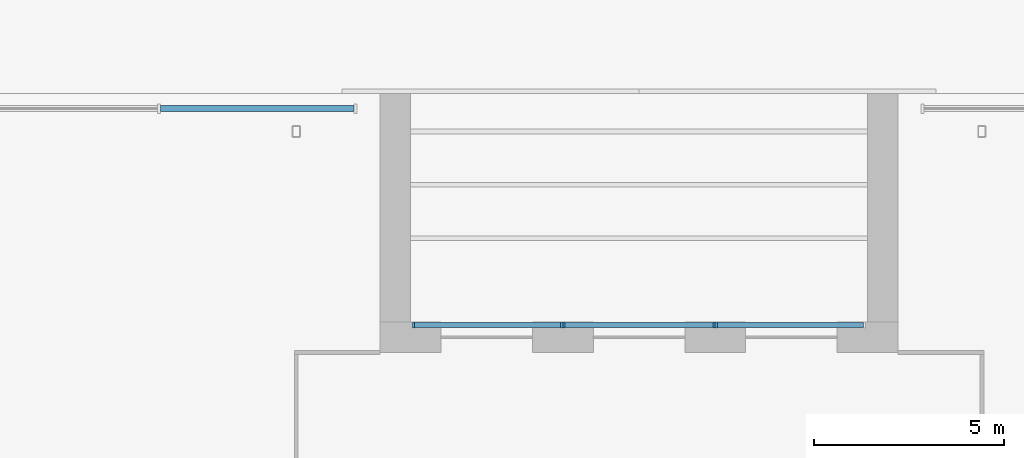
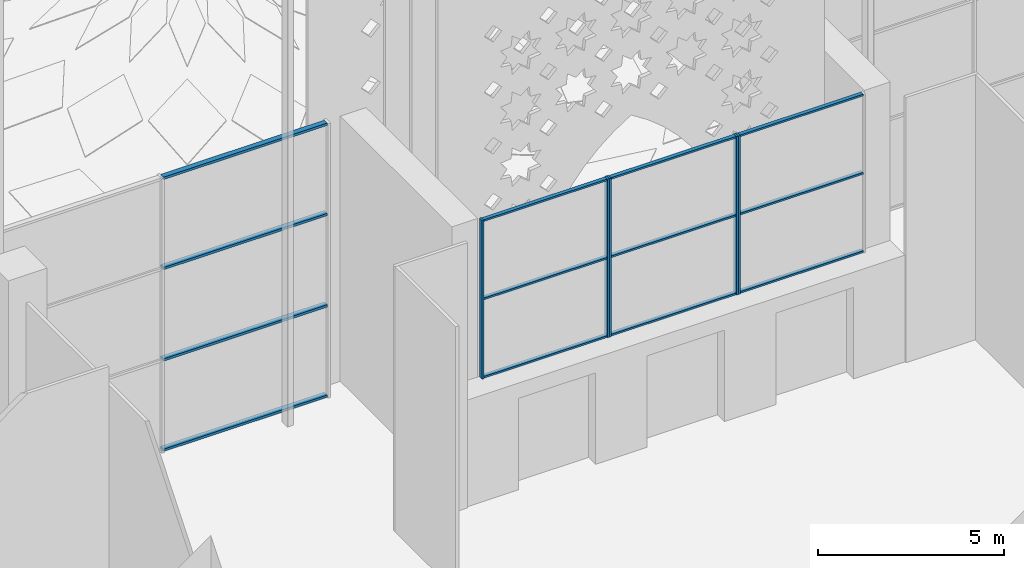
# One storey, part 3 of 23: 18 members, 4 elements without a shape of their own.
"""IFC4 building model written with IfcOpenShell, lengths in metres."""

from ifc_helpers import new_model, si_unit, direction, frame, origin, origin_2d, place, context, subcontext, project, spatial, rectangle, extrude, material, material_profile, profile_set, type_object, element, aggregate, save


model = new_model("IFC4")

# Units and contexts
model_context = context("Model", 3, precision=1e-05, world=origin(), true_north=direction((0.0, 1.0)))
body_context = subcontext(model_context, "Body", "Model", "MODEL_VIEW")
ifc_project = project(units=[si_unit("LENGTHUNIT", "METRE"), si_unit("AREAUNIT", "SQUARE_METRE"), si_unit("VOLUMEUNIT", "CUBIC_METRE"), si_unit("PLANEANGLEUNIT", "RADIAN"), si_unit("MASSUNIT", "GRAM", prefix="KILO")], contexts=[model_context])

# Site, building, storey
site_placement = place(None, origin())
site = spatial("IfcSite", under=ifc_project, at=site_placement, CompositionType="ELEMENT")
building_placement = place(site_placement, origin())
building = spatial("IfcBuilding", under=site, at=building_placement, Name="Zellij Exchange Tower", CompositionType="ELEMENT")
storey_placement = place(building_placement, origin())
storey = spatial("IfcBuildingStorey", under=building, at=storey_placement, Name="L00", CompositionType="ELEMENT", Elevation=0.0)

# Curtain wall, members
ifc_material_1 = material(Name="Aluminium frame, clear insulating glass", Category="aluminium")
curtain_wall_type_1 = type_object("IfcCurtainWallType", Name="ENV-CW3 Exchange-hall glazing", PredefinedType="NOTDEFINED", material=ifc_material_1)
curtain_wall_1_placement = place(storey_placement, origin())
curtain_wall_1 = element("IfcCurtainWall", 1, at=curtain_wall_1_placement, inside=storey, type_object=curtain_wall_type_1, Name="cw.L00.14c", PredefinedType="NOTDEFINED")
ifc_material_2 = material(Name="Aluminium", Category="aluminium")
ifc_material_profile_1 = material_profile(ifc_material_2, rectangle(XDim=0.159912109375, YDim=0.080078125, at=origin_2d()), Name="AL 160x80")
ifc_profile_set_1 = profile_set([ifc_material_profile_1], Name="Aluminium")
member_type_1 = type_object("IfcMemberType", Name="ENV-CW3T Transom 160x80", PredefinedType="USERDEFINED", material=ifc_profile_set_1)
member_1_placement = place(storey_placement, frame((-7.47998046875, 19.60009765625, 0.0400390625), z_axis=(-1.0, 0.0, 0.0), x_axis=(0.0, -1.0, 0.0)))
member_1 = element("IfcMember", 2, at=member_1_placement, type_object=member_type_1, Name="CW3 transom 1.1", ObjectType="TRANSOM", PredefinedType="USERDEFINED", context=body_context, shape_type="SweptSolid", body=[
    extrude(rectangle(XDim=0.159912109375, YDim=0.080078125, at=origin_2d()), origin(), (0.0, 0.0, 1.0), 5.080078125),
])
member_2_placement = place(storey_placement, frame((-7.47998046875, 19.60009765625, 3.0), z_axis=(-1.0, 0.0, 0.0), x_axis=(0.0, -1.0, 0.0)))
member_2 = element("IfcMember", 3, at=member_2_placement, type_object=member_type_1, Name="CW3 transom 1.2", ObjectType="TRANSOM", PredefinedType="USERDEFINED", context=body_context, shape_type="SweptSolid", body=[
    extrude(rectangle(XDim=0.159912109375, YDim=0.080078125, at=origin_2d()), origin(), (0.0, 0.0, 1.0), 5.080078125),
])
member_3_placement = place(storey_placement, frame((-7.47998046875, 19.60009765625, 6.0), z_axis=(-1.0, 0.0, 0.0), x_axis=(0.0, -1.0, 0.0)))
member_3 = element("IfcMember", 4, at=member_3_placement, type_object=member_type_1, Name="CW3 transom 1.3", ObjectType="TRANSOM", PredefinedType="USERDEFINED", context=body_context, shape_type="SweptSolid", body=[
    extrude(rectangle(XDim=0.159912109375, YDim=0.080078125, at=origin_2d()), origin(), (0.0, 0.0, 1.0), 5.080078125),
])
member_4_placement = place(storey_placement, frame((-7.47998046875, 19.60009765625, 8.9599609375), z_axis=(-1.0, 0.0, 0.0), x_axis=(0.0, -1.0, 0.0)))
member_4 = element("IfcMember", 5, at=member_4_placement, type_object=member_type_1, Name="CW3 transom 1.4", ObjectType="TRANSOM", PredefinedType="USERDEFINED", context=body_context, shape_type="SweptSolid", body=[
    extrude(rectangle(XDim=0.159912109375, YDim=0.080078125, at=origin_2d()), origin(), (0.0, 0.0, 1.0), 5.080078125),
])
aggregate(curtain_wall_1, [member_1, member_2, member_3, member_4])

ifc_material_3 = material(Name="Aluminium frame, clear laminated glass", Category="aluminium")
curtain_wall_type_2 = type_object("IfcCurtainWallType", Name="ENV-CW4 Iwan portal glazing", PredefinedType="NOTDEFINED", material=ifc_material_3)
curtain_wall_2_placement = place(storey_placement, origin())
curtain_wall_2 = element("IfcCurtainWall", 6, at=curtain_wall_2_placement, inside=storey, type_object=curtain_wall_type_2, Name="cw.L00.iwan.Na", PredefinedType="NOTDEFINED")
ifc_material_profile_2 = material_profile(ifc_material_2, rectangle(XDim=0.06005859375, YDim=0.159912109375, at=origin_2d()), Name="AL 60x160")
ifc_profile_set_2 = profile_set([ifc_material_profile_2], Name="Aluminium")
member_type_2 = type_object("IfcMemberType", Name="ENV-CW4M Mullion 60x160", PredefinedType="MULLION", material=ifc_profile_set_2)
member_5_placement = place(storey_placement, frame((-5.919921875, 13.919921875, 3.5), z_axis=(0.0, 0.0, 1.0), x_axis=(1.0, 0.0, 0.0)))
member_5 = element("IfcMember", 7, at=member_5_placement, type_object=member_type_2, Name="CW4 mullion 1", PredefinedType="MULLION", context=body_context, shape_type="SweptSolid", body=[
    extrude(rectangle(XDim=0.06005859375, YDim=0.159912109375, at=origin_2d()), origin(), (0.0, 0.0, 1.0), 5.199951171875),
])
member_6_placement = place(storey_placement, frame((-2.030029296875, 13.919921875, 3.5), z_axis=(0.0, 0.0, 1.0), x_axis=(1.0, 0.0, 0.0)))
member_6 = element("IfcMember", 8, at=member_6_placement, type_object=member_type_2, Name="CW4 mullion 2", PredefinedType="MULLION", context=body_context, shape_type="SweptSolid", body=[
    extrude(rectangle(XDim=0.06005859375, YDim=0.159912109375, at=origin_2d()), origin(), (0.0, 0.0, 1.0), 5.199951171875),
])

curtain_wall_3_placement = place(storey_placement, origin())
curtain_wall_3 = element("IfcCurtainWall", 9, at=curtain_wall_3_placement, inside=storey, type_object=curtain_wall_type_2, Name="cw.L00.iwan.Nb", PredefinedType="NOTDEFINED")
member_7_placement = place(storey_placement, frame((-1.969970703125, 13.919921875, 3.5), z_axis=(0.0, 0.0, 1.0), x_axis=(1.0, 0.0, 0.0)))
member_7 = element("IfcMember", 10, at=member_7_placement, type_object=member_type_2, Name="CW4 mullion 1", PredefinedType="MULLION", context=body_context, shape_type="SweptSolid", body=[
    extrude(rectangle(XDim=0.06005859375, YDim=0.159912109375, at=origin_2d()), origin(), (0.0, 0.0, 1.0), 5.199951171875),
])
member_8_placement = place(storey_placement, frame((1.969970703125, 13.919921875, 3.5), z_axis=(0.0, 0.0, 1.0), x_axis=(1.0, 0.0, 0.0)))
member_8 = element("IfcMember", 11, at=member_8_placement, type_object=member_type_2, Name="CW4 mullion 2", PredefinedType="MULLION", context=body_context, shape_type="SweptSolid", body=[
    extrude(rectangle(XDim=0.06005859375, YDim=0.159912109375, at=origin_2d()), origin(), (0.0, 0.0, 1.0), 5.199951171875),
])

# Curtain wall, member
curtain_wall_4_placement = place(storey_placement, origin())
curtain_wall_4 = element("IfcCurtainWall", 12, at=curtain_wall_4_placement, inside=storey, type_object=curtain_wall_type_2, Name="cw.L00.iwan.Nc", PredefinedType="NOTDEFINED")
member_9_placement = place(storey_placement, frame((2.030029296875, 13.919921875, 3.5), z_axis=(0.0, 0.0, 1.0), x_axis=(1.0, 0.0, 0.0)))
member_9 = element("IfcMember", 13, at=member_9_placement, type_object=member_type_2, Name="CW4 mullion 1", PredefinedType="MULLION", context=body_context, shape_type="SweptSolid", body=[
    extrude(rectangle(XDim=0.06005859375, YDim=0.159912109375, at=origin_2d()), origin(), (0.0, 0.0, 1.0), 5.199951171875),
])

# Member
ifc_material_profile_3 = material_profile(ifc_material_2, rectangle(XDim=0.1201171875, YDim=0.06005859375, at=origin_2d()), Name="AL 120x60")
ifc_profile_set_3 = profile_set([ifc_material_profile_3], Name="Aluminium")
member_type_3 = type_object("IfcMemberType", Name="ENV-CW4T Transom 120x60", PredefinedType="USERDEFINED", material=ifc_profile_set_3)
member_10_placement = place(storey_placement, frame((-5.889892578125, 13.919921875, 3.530029296875), z_axis=(1.0, 0.0, 0.0), x_axis=(0.0, 1.0, 0.0)))
member_10 = element("IfcMember", 14, at=member_10_placement, type_object=member_type_3, Name="CW4 transom 1.1", ObjectType="TRANSOM", PredefinedType="USERDEFINED", context=body_context, shape_type="SweptSolid", body=[
    extrude(rectangle(XDim=0.1201171875, YDim=0.06005859375, at=origin_2d()), origin(), (0.0, 0.0, 1.0), 3.829833984375),
])

member_11_placement = place(storey_placement, frame((-5.889892578125, 13.919921875, 6.10009765625), z_axis=(1.0, 0.0, 0.0), x_axis=(0.0, 1.0, 0.0)))
member_11 = element("IfcMember", 15, at=member_11_placement, type_object=member_type_3, Name="CW4 transom 1.2", ObjectType="TRANSOM", PredefinedType="USERDEFINED", context=body_context, shape_type="SweptSolid", body=[
    extrude(rectangle(XDim=0.1201171875, YDim=0.06005859375, at=origin_2d()), origin(), (0.0, 0.0, 1.0), 3.829833984375),
])

member_12_placement = place(storey_placement, frame((-5.889892578125, 13.919921875, 8.669921875), z_axis=(1.0, 0.0, 0.0), x_axis=(0.0, 1.0, 0.0)))
member_12 = element("IfcMember", 16, at=member_12_placement, type_object=member_type_3, Name="CW4 transom 1.3", ObjectType="TRANSOM", PredefinedType="USERDEFINED", context=body_context, shape_type="SweptSolid", body=[
    extrude(rectangle(XDim=0.1201171875, YDim=0.06005859375, at=origin_2d()), origin(), (0.0, 0.0, 1.0), 3.829833984375),
])

aggregate(curtain_wall_2, [member_5, member_6, member_10, member_11, member_12])

member_13_placement = place(storey_placement, frame((-1.93994140625, 13.919921875, 3.530029296875), z_axis=(1.0, 0.0, 0.0), x_axis=(0.0, 1.0, 0.0)))
member_13 = element("IfcMember", 17, at=member_13_placement, type_object=member_type_3, Name="CW4 transom 1.1", ObjectType="TRANSOM", PredefinedType="USERDEFINED", context=body_context, shape_type="SweptSolid", body=[
    extrude(rectangle(XDim=0.1201171875, YDim=0.06005859375, at=origin_2d()), origin(), (0.0, 0.0, 1.0), 3.8798828125),
])

member_14_placement = place(storey_placement, frame((-1.93994140625, 13.919921875, 6.10009765625), z_axis=(1.0, 0.0, 0.0), x_axis=(0.0, 1.0, 0.0)))
member_14 = element("IfcMember", 18, at=member_14_placement, type_object=member_type_3, Name="CW4 transom 1.2", ObjectType="TRANSOM", PredefinedType="USERDEFINED", context=body_context, shape_type="SweptSolid", body=[
    extrude(rectangle(XDim=0.1201171875, YDim=0.06005859375, at=origin_2d()), origin(), (0.0, 0.0, 1.0), 3.8798828125),
])

member_15_placement = place(storey_placement, frame((-1.93994140625, 13.919921875, 8.669921875), z_axis=(1.0, 0.0, 0.0), x_axis=(0.0, 1.0, 0.0)))
member_15 = element("IfcMember", 19, at=member_15_placement, type_object=member_type_3, Name="CW4 transom 1.3", ObjectType="TRANSOM", PredefinedType="USERDEFINED", context=body_context, shape_type="SweptSolid", body=[
    extrude(rectangle(XDim=0.1201171875, YDim=0.06005859375, at=origin_2d()), origin(), (0.0, 0.0, 1.0), 3.8798828125),
])

aggregate(curtain_wall_3, [member_7, member_8, member_13, member_14, member_15])

member_16_placement = place(storey_placement, frame((2.06005859375, 13.919921875, 3.530029296875), z_axis=(1.0, 0.0, 0.0), x_axis=(0.0, 1.0, 0.0)))
member_16 = element("IfcMember", 20, at=member_16_placement, type_object=member_type_3, Name="CW4 transom 1.1", ObjectType="TRANSOM", PredefinedType="USERDEFINED", context=body_context, shape_type="SweptSolid", body=[
    extrude(rectangle(XDim=0.1201171875, YDim=0.06005859375, at=origin_2d()), origin(), (0.0, 0.0, 1.0), 3.829833984375),
])

member_17_placement = place(storey_placement, frame((2.06005859375, 13.919921875, 6.10009765625), z_axis=(1.0, 0.0, 0.0), x_axis=(0.0, 1.0, 0.0)))
member_17 = element("IfcMember", 21, at=member_17_placement, type_object=member_type_3, Name="CW4 transom 1.2", ObjectType="TRANSOM", PredefinedType="USERDEFINED", context=body_context, shape_type="SweptSolid", body=[
    extrude(rectangle(XDim=0.1201171875, YDim=0.06005859375, at=origin_2d()), origin(), (0.0, 0.0, 1.0), 3.829833984375),
])

member_18_placement = place(storey_placement, frame((2.06005859375, 13.919921875, 8.669921875), z_axis=(1.0, 0.0, 0.0), x_axis=(0.0, 1.0, 0.0)))
member_18 = element("IfcMember", 22, at=member_18_placement, type_object=member_type_3, Name="CW4 transom 1.3", ObjectType="TRANSOM", PredefinedType="USERDEFINED", context=body_context, shape_type="SweptSolid", body=[
    extrude(rectangle(XDim=0.1201171875, YDim=0.06005859375, at=origin_2d()), origin(), (0.0, 0.0, 1.0), 3.829833984375),
])

aggregate(curtain_wall_4, [member_9, member_16, member_17, member_18])

save(model, "model.ifc")
